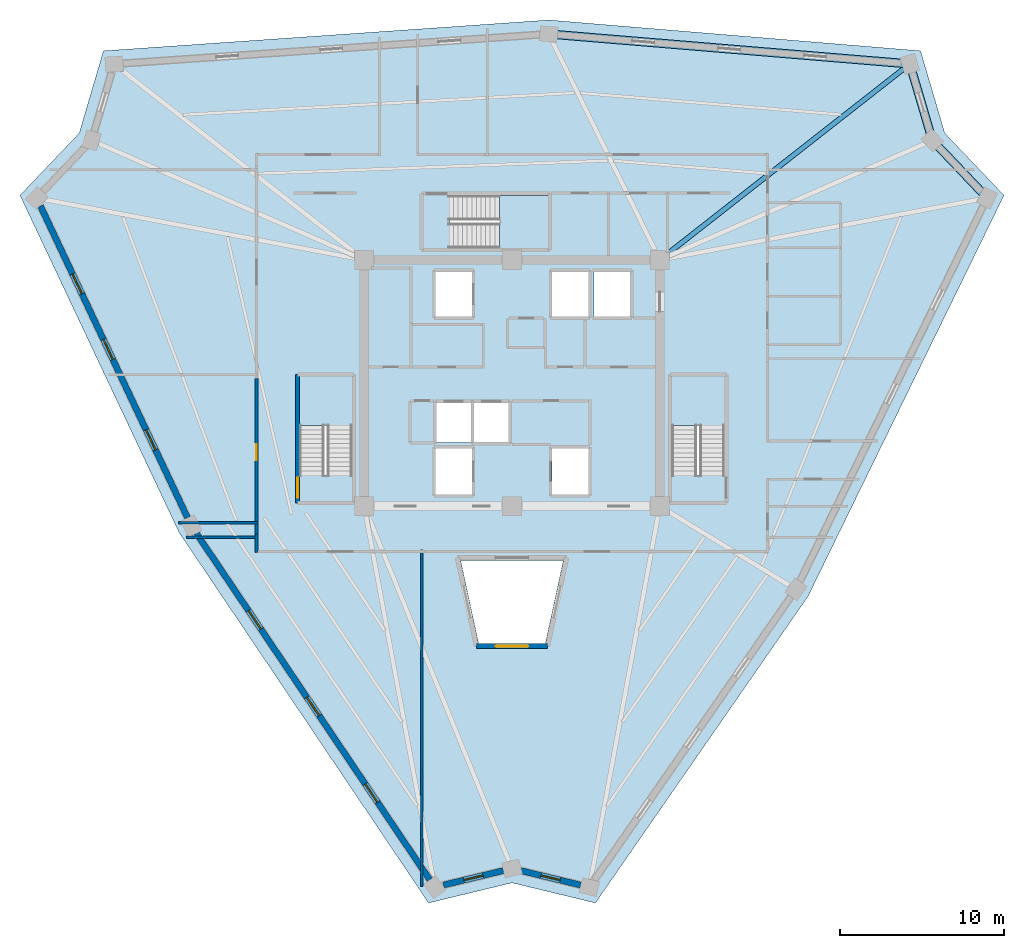
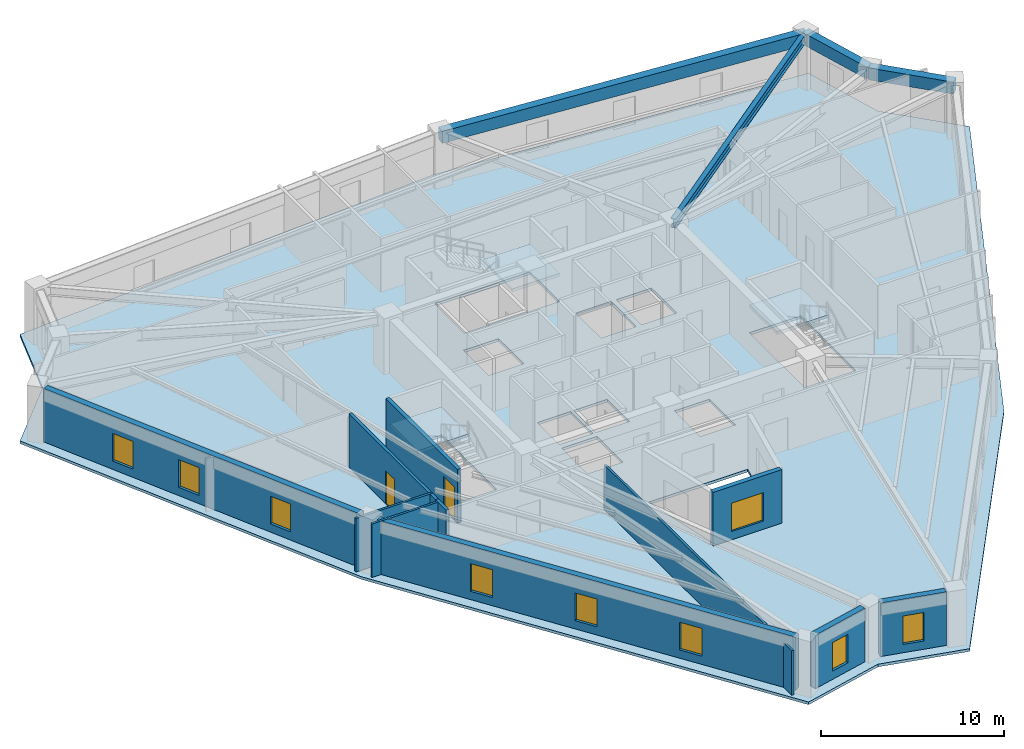
# One storey, part 2 of 8: 11 walls, 9 windows, 4 beams, 4 slabs, 2 doors, 11 openings, 3 elements without a shape of their own.
"""IFC4 building model written with IfcOpenShell, lengths in metres."""

from ifc_helpers import new_model, si_unit, direction, frame, frame_2d, origin, origin_2d, place, context, subcontext, project, spatial, polyline, rectangle, i_section, outline, extrude, source, transform, mapped, material, layer, layer_set, material_profile, profile_set, type_object, element, fill, aggregate, save


model = new_model("IFC4")

# Units and contexts
model_context = context("Model", 3, precision=1e-05, world=origin(), true_north=direction((0.0, 1.0)))
body_context = subcontext(model_context, "Body", "Model", "MODEL_VIEW")
ifc_project = project(units=[si_unit("LENGTHUNIT", "METRE"), si_unit("AREAUNIT", "SQUARE_METRE"), si_unit("VOLUMEUNIT", "CUBIC_METRE"), si_unit("PLANEANGLEUNIT", "RADIAN"), si_unit("MASSUNIT", "GRAM", prefix="KILO")], contexts=[model_context])

# Site, building, storey
site_placement = place(None, origin())
site = spatial("IfcSite", under=ifc_project, at=site_placement, CompositionType="ELEMENT")
building_placement = place(site_placement, origin())
building = spatial("IfcBuilding", under=site, at=building_placement, Name="Liaohun Quay Tower", CompositionType="ELEMENT")
storey_placement = place(building_placement, frame((0.0, 0.0, 343.5)))
storey = spatial("IfcBuildingStorey", under=building, at=storey_placement, Name="L89", CompositionType="ELEMENT", Elevation=343.5)

# Beams
ifc_material_1 = material(Name="Steel Q355D", Category="steel")
ifc_material_profile_1 = material_profile(ifc_material_1, i_section(OverallWidth=0.300048828125, OverallDepth=0.587890625, WebThickness=0.011962890625, FlangeThickness=0.02001953125, at=origin_2d()), Name="HM588x300x12x20")
ifc_profile_set_1 = profile_set([ifc_material_profile_1], Name="Steel Q355D")
beam_type_1 = type_object("IfcBeamType", Name="BM-RAD-U2", PredefinedType="BEAM", material=ifc_profile_set_1)
shared_shape_1 = source(origin(), body_context, "Body", "SweptSolid", [
    extrude(i_section(OverallWidth=0.300048828125, OverallDepth=0.587890625, WebThickness=0.011962890625, FlangeThickness=0.02001953125, at=origin_2d()), origin(), (0.0, 0.0, 1.0), 19.355224609375),
])
beam_1_placement = place(storey_placement, frame((69.0, 61.5, 3.27587890625), z_axis=(0.787132213405, 0.616784304778, 0.0), x_axis=(-0.616784304778, 0.787132213405, 0.0)))
element("IfcBeam", 1, at=beam_1_placement, inside=storey, type_object=beam_type_1, Name="L89 Radial Primary Girder CC4-PC07", PredefinedType="BEAM", context=body_context, shape_type="MappedRepresentation", body=[
    mapped(shared_shape_1, transform((0.0, 0.0, 0.0), x_axis=(1.0, 0.0, 0.0), y_axis=(0.0, 1.0, 0.0), z_axis=(0.0, 0.0, 1.0), scale=1.0)),
])
ifc_material_2 = material(Name="Precast concrete C50", Category="concrete")
ifc_material_profile_2 = material_profile(ifc_material_2, rectangle(XDim=0.5, YDim=0.800048828125, at=origin_2d()), Name="RC500x800")
ifc_profile_set_2 = profile_set([ifc_material_profile_2], Name="Precast concrete C50")
beam_type_2 = type_object("IfcBeamType", Name="BM-SPD-Z4", PredefinedType="SPANDREL", material=ifc_profile_set_2)
shared_shape_2 = source(origin(), body_context, "Body", "SweptSolid", [
    extrude(rectangle(XDim=0.5, YDim=0.800048828125, at=origin_2d()), origin(), (0.0, 0.0, 1.0), 22.07666015625),
])
beam_2_placement = place(storey_placement, frame((62.23388671875, 75.262939453125, 3.169921875), z_axis=(0.996577488484, -0.082663833976, 0.0), x_axis=(0.082663833976, 0.996577488484, 0.0)))
element("IfcBeam", 2, at=beam_2_placement, inside=storey, type_object=beam_type_2, Name="L89 Precast Spandrel Beam PC06-PC07", PredefinedType="SPANDREL", context=body_context, shape_type="MappedRepresentation", body=[
    mapped(shared_shape_2, transform((0.0, 0.0, 0.0), x_axis=(1.0, 0.0, 0.0), y_axis=(0.0, 1.0, 0.0), z_axis=(0.0, 0.0, 1.0), scale=1.0)),
])
shared_shape_3 = source(origin(), body_context, "Body", "SweptSolid", [
    extrude(rectangle(XDim=0.5, YDim=0.800048828125, at=origin_2d()), origin(), (0.0, 0.0, 1.0), 4.85205078125),
])
beam_3_placement = place(storey_placement, frame((84.235107421875, 73.43798828125, 3.169921875), z_axis=(0.282732905255, -0.959198678213, 0.0), x_axis=(0.959198678213, 0.282732905255, 0.0)))
element("IfcBeam", 3, at=beam_3_placement, inside=storey, type_object=beam_type_2, Name="L89 Precast Spandrel Beam PC07-PC08", PredefinedType="SPANDREL", context=body_context, shape_type="MappedRepresentation", body=[
    mapped(shared_shape_3, transform((0.0, 0.0, 0.0), x_axis=(1.0, 0.0, 0.0), y_axis=(0.0, 1.0, 0.0), z_axis=(0.0, 0.0, 1.0), scale=1.0)),
])
shared_shape_4 = source(origin(), body_context, "Body", "SweptSolid", [
    extrude(rectangle(XDim=0.5, YDim=0.800048828125, at=origin_2d()), origin(), (0.0, 0.0, 1.0), 4.84326171875),
])
beam_4_placement = place(storey_placement, frame((85.60693359375, 68.783935546875, 3.169921875), z_axis=(0.689449970501, -0.724333305997, 0.0), x_axis=(0.724333305997, 0.689449970501, 0.0)))
element("IfcBeam", 4, at=beam_4_placement, inside=storey, type_object=beam_type_2, Name="L89 Precast Spandrel Beam PC08-PC09", PredefinedType="SPANDREL", context=body_context, shape_type="MappedRepresentation", body=[
    mapped(shared_shape_4, transform((0.0, 0.0, 0.0), x_axis=(1.0, 0.0, 0.0), y_axis=(0.0, 1.0, 0.0), z_axis=(0.0, 0.0, 1.0), scale=1.0)),
])

# Stair, slab
ifc_material_3 = material(Name="Concrete C45", Category="concrete")
stair_type = type_object("IfcStairType", Name="STR-CORE-OFF", PredefinedType="HALF_TURN_STAIR", material=ifc_material_3)
stair_1_placement = place(storey_placement, origin())
stair_1 = element("IfcStair", 5, at=stair_1_placement, inside=storey, type_object=stair_type, Name="L89 Smokeproof Core Exit Stair ST-1", PredefinedType="HALF_TURN_STAIR")
ifc_layer_1 = layer(ifc_material_3, 0.199951171875, Name="Concrete C45", Category="concrete")
ifc_layer_set_1 = layer_set([ifc_layer_1], Name="Concrete C45")
slab_type_1 = type_object("IfcSlabType", Name="SLB-LND-200", PredefinedType="LANDING", material=ifc_layer_set_1)
slab_1_placement = place(storey_placement, frame((0.0, 0.0, 1.675048828125)))
slab_1 = element("IfcSlab", 6, at=slab_1_placement, type_object=slab_type_1, Name="ST-1 landing 1", PredefinedType="LANDING", context=body_context, shape_type="SweptSolid", body=[
    extrude(outline(polyline([(50.280029296875, 51.429931640625), (50.280029296875, 54.419921875), (47.0400390625, 54.419921875), (47.0400390625, 51.429931640625), (50.280029296875, 51.429931640625)])), origin(), (0.0, 0.0, 1.0), 0.199951171875),
])
aggregate(stair_1, [slab_1])

stair_2_placement = place(storey_placement, origin())
stair_2 = element("IfcStair", 7, at=stair_2_placement, inside=storey, type_object=stair_type, Name="L89 Smokeproof Core Exit Stair ST-2", PredefinedType="HALF_TURN_STAIR")
slab_2_placement = place(storey_placement, frame((0.0, 0.0, 1.675048828125)))
slab_2 = element("IfcSlab", 8, at=slab_2_placement, type_object=slab_type_1, Name="ST-2 landing 1", PredefinedType="LANDING", context=body_context, shape_type="SweptSolid", body=[
    extrude(outline(polyline([(72.9599609375, 51.429931640625), (72.9599609375, 54.419921875), (69.719970703125, 54.419921875), (69.719970703125, 51.429931640625), (72.9599609375, 51.429931640625)])), origin(), (0.0, 0.0, 1.0), 0.199951171875),
])
aggregate(stair_2, [slab_2])

stair_3_placement = place(storey_placement, origin())
stair_3 = element("IfcStair", 9, at=stair_3_placement, inside=storey, type_object=stair_type, Name="L89 Smokeproof Core Exit Stair ST-3", PredefinedType="HALF_TURN_STAIR")
slab_3_placement = place(storey_placement, frame((0.0, 0.0, 1.675048828125)))
slab_3 = element("IfcSlab", 10, at=slab_3_placement, type_object=slab_type_1, Name="ST-3 landing 1", PredefinedType="LANDING", context=body_context, shape_type="SweptSolid", body=[
    extrude(outline(polyline([(59.22998046875, 62.199951171875), (62.219970703125, 62.199951171875), (62.219970703125, 65.43994140625), (59.22998046875, 65.43994140625), (59.22998046875, 62.199951171875)])), origin(), (0.0, 0.0, 1.0), 0.199951171875),
])
aggregate(stair_3, [slab_3])

# Slab
ifc_layer_2 = layer(ifc_material_3, 0.179931640625, Name="Concrete C45", Category="concrete")
ifc_layer_set_2 = layer_set([ifc_layer_2], Name="Concrete C45")
slab_type_2 = type_object("IfcSlabType", Name="SLB-OFF-180", PredefinedType="FLOOR", material=ifc_layer_set_2)
slab_4_placement = place(storey_placement, frame((0.0, 0.0, -0.179931640625)))
element("IfcSlab", 11, at=slab_4_placement, inside=storey, type_object=slab_type_2, Name="L89 Structural Floor Slab", PredefinedType="FLOOR", context=body_context, shape_type="SweptSolid", body=[
    extrude(outline(polyline([(54.91796875, 22.3291015625), (60.0, 23.556884765625), (65.08203125, 22.3291015625), (78.031982421875, 41.0029296875), (89.968994140625, 65.43408203125), (86.364013671875, 69.220947265625), (84.885986328125, 74.237060546875), (62.239990234375, 76.114990234375), (35.114013671875, 74.237060546875), (33.635986328125, 69.220947265625), (30.031005859375, 65.43408203125), (39.72802734375, 44.882080078125), (54.91796875, 22.3291015625)]), holes=[polyline([(57.56005859375, 50.030029296875), (55.340087890625, 50.030029296875), (55.340087890625, 47.2099609375), (57.56005859375, 47.2099609375), (57.56005859375, 50.030029296875)]), polyline([(47.0400390625, 54.419921875), (47.0400390625, 48.409912109375), (50.280029296875, 48.409912109375), (50.280029296875, 54.419921875), (47.0400390625, 54.419921875)]), polyline([(57.510009765625, 52.81005859375), (55.389892578125, 52.81005859375), (55.389892578125, 50.389892578125), (57.510009765625, 50.389892578125), (57.510009765625, 52.81005859375)]), polyline([(59.81005859375, 50.389892578125), (59.81005859375, 52.81005859375), (57.68994140625, 52.81005859375), (57.68994140625, 50.389892578125), (59.81005859375, 50.389892578125)]), polyline([(57.56005859375, 58.0400390625), (57.56005859375, 60.7900390625), (55.340087890625, 60.7900390625), (55.340087890625, 58.0400390625), (57.56005859375, 58.0400390625)]), polyline([(62.219970703125, 65.43994140625), (56.2099609375, 65.43994140625), (56.2099609375, 62.199951171875), (62.219970703125, 62.199951171875), (62.219970703125, 65.43994140625)]), polyline([(62.031005859375, 38.14111328125), (63.125, 43.199951171875), (56.875, 43.199951171875), (57.968994140625, 38.14111328125), (62.031005859375, 38.14111328125)]), polyline([(64.659912109375, 47.2099609375), (64.659912109375, 50.030029296875), (62.43994140625, 50.030029296875), (62.43994140625, 47.2099609375), (64.659912109375, 47.2099609375)]), polyline([(69.719970703125, 54.419921875), (69.719970703125, 48.409912109375), (72.9599609375, 48.409912109375), (72.9599609375, 54.419921875), (69.719970703125, 54.419921875)]), polyline([(64.659912109375, 58.0400390625), (64.659912109375, 60.7900390625), (62.43994140625, 60.7900390625), (62.43994140625, 58.0400390625), (64.659912109375, 58.0400390625)]), polyline([(67.2099609375, 58.0400390625), (67.2099609375, 60.7900390625), (64.989990234375, 60.7900390625), (64.989990234375, 58.0400390625), (67.2099609375, 58.0400390625)])]), origin(), (0.0, 0.0, 1.0), 0.179931640625),
])

# Wall, opening, window
ifc_material_4 = material(Name="Concrete C50", Category="concrete")
ifc_layer_3 = layer(ifc_material_4, 0.300048828125, Name="Concrete C50", Category="concrete")
ifc_layer_set_3 = layer_set([ifc_layer_3], Name="Concrete C50")
wall_type_1 = type_object("IfcWallType", Name="WAL-ATR-300", PredefinedType="SOLIDWALL", material=ifc_layer_set_3)
wall_1_placement = place(storey_placement, frame((62.16796875, 37.970947265625, 0.0), z_axis=(0.0, 0.0, 1.0), x_axis=(-1.0, 0.0, 0.0)))
wall_1 = element("IfcWall", 12, at=wall_1_placement, inside=storey, type_object=wall_type_1, Name="L89 Atrium Fire Compartment Wall 4", PredefinedType="SOLIDWALL", context=body_context, shape_type="SweptSolid", body=[
    extrude(rectangle(XDim=4.3359375, YDim=0.300048828125, at=frame_2d((2.16796875, 0.0))), origin(), (0.0, 0.0, 1.0), 3.570068359375),
])
shared_shape_5 = source(origin(), body_context, "Body", "SweptSolid", [
    extrude(rectangle(XDim=2.0, YDim=1.89990234375, at=frame_2d((1.0, 0.949951171875))), frame((0.0, 0.159912109375, 0.0), z_axis=(0.0, -1.0, 0.0), x_axis=(1.0, 0.0, 0.0)), (0.0, 0.0, 1.0), 0.320068359375),
])
opening_1_placement = place(wall_1_placement, frame((1.16796875, 0.0, 0.550048828125)))
opening_1 = element("IfcOpeningElement", 13, at=opening_1_placement, cuts=wall_1, Name="Opening W07", PredefinedType="OPENING", context=body_context, shape_type="MappedRepresentation", body=[
    mapped(shared_shape_5, transform((0.0, 0.0, 0.0), x_axis=(1.0, 0.0, 0.0), y_axis=(0.0, 1.0, 0.0), z_axis=(0.0, 0.0, 1.0), scale=1.0)),
])
ifc_material_5 = material(Name="Class A 180-min fire-resistant insulated glazing", Category="glass")
window_type_1 = type_object("IfcWindowType", Name="WIN-ATR-FIR", PartitioningType="DOUBLE_PANEL_VERTICAL", PredefinedType="WINDOW", material=ifc_material_5)
shared_shape_6 = source(origin(), body_context, "Body", "SweptSolid", [
    extrude(rectangle(XDim=2.0, YDim=1.89990234375, at=frame_2d((1.0, 0.949951171875))), frame((0.0, 0.030029296875, 0.0), z_axis=(0.0, -1.0, 0.0), x_axis=(1.0, 0.0, 0.0)), (0.0, 0.0, 1.0), 0.06005859375),
])
window_1_placement = place(opening_1_placement, origin())
window_1 = element("IfcWindow", 14, at=window_1_placement, inside=storey, type_object=window_type_1, Name="L89 Atrium Fire-Resistant Glazing W07-4", OverallHeight=1.89990234375, OverallWidth=2.0, PartitioningType="DOUBLE_PANEL_VERTICAL", PredefinedType="WINDOW", context=body_context, shape_type="MappedRepresentation", body=[
    mapped(shared_shape_6, transform((0.0, 0.0, 0.0), x_axis=(1.0, 0.0, 0.0), y_axis=(0.0, 1.0, 0.0), z_axis=(0.0, 0.0, 1.0), scale=1.0)),
])
fill(opening_1, window_1)

ifc_material_6 = material(Name="Precast concrete C50 insulated sandwich", Category="concrete")
ifc_layer_4 = layer(ifc_material_6, 0.3798828125, Name="Precast concrete C50 insulated sandwich", Category="concrete")
ifc_layer_set_4 = layer_set([ifc_layer_4], Name="Precast concrete C50 insulated sandwich")
wall_type_2 = type_object("IfcWallType", Name="WAL-EXT-Z34", PredefinedType="SOLIDWALL", material=ifc_layer_set_4)
wall_2_placement = place(storey_placement, frame((60.52490234375, 24.303955078125, 0.0), z_axis=(0.0, 0.0, 1.0), x_axis=(0.972061323931, -0.234727038319, 0.0)))
wall_2 = element("IfcWall", 15, at=wall_2_placement, inside=storey, type_object=wall_type_2, Name="L89 Brutalist Precast Pier Wall 01", PredefinedType="SOLIDWALL", context=body_context, shape_type="SweptSolid", body=[
    extrude(rectangle(XDim=3.770263671875, YDim=0.3798828125, at=frame_2d((1.88525390625, 0.0))), origin(), (0.0, 0.0, 1.0), 3.570068359375),
])
shared_shape_7 = source(origin(), body_context, "Body", "SweptSolid", [
    extrude(rectangle(XDim=1.199951171875, YDim=1.89990234375, at=frame_2d((0.60009765625, 0.949951171875))), frame((0.0, 0.199951171875, 0.0), z_axis=(0.0, -1.0, 0.0), x_axis=(1.0, 0.0, 0.0)), (0.0, 0.0, 1.0), 0.39990234375),
])
opening_2_placement = place(wall_2_placement, frame((1.284912109375, 0.0, 0.550048828125)))
opening_2 = element("IfcOpeningElement", 16, at=opening_2_placement, cuts=wall_2, Name="Opening W05", PredefinedType="OPENING", context=body_context, shape_type="MappedRepresentation", body=[
    mapped(shared_shape_7, transform((0.0, 0.0, 0.0), x_axis=(1.0, 0.0, 0.0), y_axis=(0.0, 1.0, 0.0), z_axis=(0.0, 0.0, 1.0), scale=1.0)),
])
ifc_material_7 = material(Name="Triple Low-E corner notch glazing", Category="glass")
window_type_2 = type_object("IfcWindowType", Name="WIN-NOTCH", PartitioningType="SINGLE_PANEL", PredefinedType="WINDOW", material=ifc_material_7)
shared_shape_8 = source(origin(), body_context, "Body", "SweptSolid", [
    extrude(rectangle(XDim=1.199951171875, YDim=1.89990234375, at=frame_2d((0.60009765625, 0.949951171875))), frame((0.0, 0.030029296875, 0.0), z_axis=(0.0, -1.0, 0.0), x_axis=(1.0, 0.0, 0.0)), (0.0, 0.0, 1.0), 0.06005859375),
])
window_2_placement = place(opening_2_placement, origin())
window_2 = element("IfcWindow", 17, at=window_2_placement, inside=storey, type_object=window_type_2, Name="L89 Corner Notch Window W05-01", OverallHeight=1.89990234375, OverallWidth=1.199951171875, PartitioningType="SINGLE_PANEL", PredefinedType="WINDOW", context=body_context, shape_type="MappedRepresentation", body=[
    mapped(shared_shape_8, transform((0.0, 0.0, 0.0), x_axis=(1.0, 0.0, 0.0), y_axis=(0.0, 1.0, 0.0), z_axis=(0.0, 0.0, 1.0), scale=1.0)),
])
fill(opening_2, window_2)

# Wall, openings, windows
wall_3_placement = place(storey_placement, frame((31.278076171875, 64.781982421875, 0.0), z_axis=(0.0, 0.0, 1.0), x_axis=(0.426732975356, -0.904377668756, 0.0)))
wall_3 = element("IfcWall", 18, at=wall_3_placement, inside=storey, type_object=wall_type_2, Name="L89 Brutalist Precast Pier Wall 10", PredefinedType="SOLIDWALL", context=body_context, shape_type="SweptSolid", body=[
    extrude(rectangle(XDim=20.9990234375, YDim=0.3798828125, at=frame_2d((10.49951171875, 0.0))), origin(), (0.0, 0.0, 1.0), 3.570068359375),
])
shared_shape_9 = source(origin(), body_context, "Body", "SweptSolid", [
    extrude(rectangle(XDim=1.35009765625, YDim=1.85009765625, at=frame_2d((0.675048828125, 0.925048828125))), frame((0.0, 0.199951171875, 0.0), z_axis=(0.0, -1.0, 0.0), x_axis=(1.0, 0.0, 0.0)), (0.0, 0.0, 1.0), 0.39990234375),
])
opening_3_placement = place(wall_3_placement, frame((4.574951171875, 0.0, 0.550048828125)))
opening_3 = element("IfcOpeningElement", 19, at=opening_3_placement, cuts=wall_3, Name="Opening W04", PredefinedType="OPENING", context=body_context, shape_type="MappedRepresentation", body=[
    mapped(shared_shape_9, transform((0.0, 0.0, 0.0), x_axis=(1.0, 0.0, 0.0), y_axis=(0.0, 1.0, 0.0), z_axis=(0.0, 0.0, 1.0), scale=1.0)),
])
opening_4_placement = place(wall_3_placement, frame((8.97412109375, 0.0, 0.550048828125)))
opening_4 = element("IfcOpeningElement", 20, at=opening_4_placement, cuts=wall_3, Name="Opening W04", PredefinedType="OPENING", context=body_context, shape_type="MappedRepresentation", body=[
    mapped(shared_shape_9, transform((0.0, 0.0, 0.0), x_axis=(1.0, 0.0, 0.0), y_axis=(0.0, 1.0, 0.0), z_axis=(0.0, 0.0, 1.0), scale=1.0)),
])
opening_5_placement = place(wall_3_placement, frame((15.073974609375, 0.0, 0.550048828125)))
opening_5 = element("IfcOpeningElement", 21, at=opening_5_placement, cuts=wall_3, Name="Opening W04", PredefinedType="OPENING", context=body_context, shape_type="MappedRepresentation", body=[
    mapped(shared_shape_9, transform((0.0, 0.0, 0.0), x_axis=(1.0, 0.0, 0.0), y_axis=(0.0, 1.0, 0.0), z_axis=(0.0, 0.0, 1.0), scale=1.0)),
])
ifc_material_8 = material(Name="Triple Low-E argon glazing in thermally broken aluminium", Category="aluminium")
window_type_3 = type_object("IfcWindowType", Name="WIN-PUN-Z4", PartitioningType="SINGLE_PANEL", PredefinedType="WINDOW", material=ifc_material_8)
shared_shape_10 = source(origin(), body_context, "Body", "SweptSolid", [
    extrude(rectangle(XDim=1.35009765625, YDim=1.85009765625, at=frame_2d((0.675048828125, 0.925048828125))), frame((0.0, 0.030029296875, 0.0), z_axis=(0.0, -1.0, 0.0), x_axis=(1.0, 0.0, 0.0)), (0.0, 0.0, 1.0), 0.06005859375),
])
window_3_placement = place(opening_3_placement, origin())
window_3 = element("IfcWindow", 22, at=window_3_placement, inside=storey, type_object=window_type_3, Name="L89 Recessed Cold-Climate Punched Window 10-1", OverallHeight=1.85009765625, OverallWidth=1.35009765625, PartitioningType="SINGLE_PANEL", PredefinedType="WINDOW", context=body_context, shape_type="MappedRepresentation", body=[
    mapped(shared_shape_10, transform((0.0, 0.0, 0.0), x_axis=(1.0, 0.0, 0.0), y_axis=(0.0, 1.0, 0.0), z_axis=(0.0, 0.0, 1.0), scale=1.0)),
])
fill(opening_3, window_3)
window_4_placement = place(opening_4_placement, origin())
window_4 = element("IfcWindow", 23, at=window_4_placement, inside=storey, type_object=window_type_3, Name="L89 Recessed Cold-Climate Punched Window 10-2", OverallHeight=1.85009765625, OverallWidth=1.35009765625, PartitioningType="SINGLE_PANEL", PredefinedType="WINDOW", context=body_context, shape_type="MappedRepresentation", body=[
    mapped(shared_shape_10, transform((0.0, 0.0, 0.0), x_axis=(1.0, 0.0, 0.0), y_axis=(0.0, 1.0, 0.0), z_axis=(0.0, 0.0, 1.0), scale=1.0)),
])
fill(opening_4, window_4)
window_5_placement = place(opening_5_placement, origin())
window_5 = element("IfcWindow", 24, at=window_5_placement, inside=storey, type_object=window_type_3, Name="L89 Recessed Cold-Climate Punched Window 10-3", OverallHeight=1.85009765625, OverallWidth=1.35009765625, PartitioningType="SINGLE_PANEL", PredefinedType="WINDOW", context=body_context, shape_type="MappedRepresentation", body=[
    mapped(shared_shape_10, transform((0.0, 0.0, 0.0), x_axis=(1.0, 0.0, 0.0), y_axis=(0.0, 1.0, 0.0), z_axis=(0.0, 0.0, 1.0), scale=1.0)),
])
fill(opening_5, window_5)

wall_4_placement = place(storey_placement, frame((40.77099609375, 44.85498046875, 0.0), z_axis=(0.0, 0.0, 1.0), x_axis=(0.558627041585, -0.82941897037, 0.0)))
wall_4 = element("IfcWall", 25, at=wall_4_placement, inside=storey, type_object=wall_type_2, Name="L89 Brutalist Precast Pier Wall 11", PredefinedType="SOLIDWALL", context=body_context, shape_type="SweptSolid", body=[
    extrude(rectangle(XDim=25.455322265625, YDim=0.3798828125, at=frame_2d((12.7275390625, 0.0))), origin(), (0.0, 0.0, 1.0), 3.570068359375),
])
opening_6_placement = place(wall_4_placement, frame((5.68896484375, 0.0, 0.550048828125)))
opening_6 = element("IfcOpeningElement", 26, at=opening_6_placement, cuts=wall_4, Name="Opening W04", PredefinedType="OPENING", context=body_context, shape_type="MappedRepresentation", body=[
    mapped(shared_shape_9, transform((0.0, 0.0, 0.0), x_axis=(1.0, 0.0, 0.0), y_axis=(0.0, 1.0, 0.0), z_axis=(0.0, 0.0, 1.0), scale=1.0)),
])
opening_7_placement = place(wall_4_placement, frame((12.052978515625, 0.0, 0.550048828125)))
opening_7 = element("IfcOpeningElement", 27, at=opening_7_placement, cuts=wall_4, Name="Opening W04", PredefinedType="OPENING", context=body_context, shape_type="MappedRepresentation", body=[
    mapped(shared_shape_9, transform((0.0, 0.0, 0.0), x_axis=(1.0, 0.0, 0.0), y_axis=(0.0, 1.0, 0.0), z_axis=(0.0, 0.0, 1.0), scale=1.0)),
])
opening_8_placement = place(wall_4_placement, frame((18.416015625, 0.0, 0.550048828125)))
opening_8 = element("IfcOpeningElement", 28, at=opening_8_placement, cuts=wall_4, Name="Opening W04", PredefinedType="OPENING", context=body_context, shape_type="MappedRepresentation", body=[
    mapped(shared_shape_9, transform((0.0, 0.0, 0.0), x_axis=(1.0, 0.0, 0.0), y_axis=(0.0, 1.0, 0.0), z_axis=(0.0, 0.0, 1.0), scale=1.0)),
])
window_6_placement = place(opening_6_placement, origin())
window_6 = element("IfcWindow", 29, at=window_6_placement, inside=storey, type_object=window_type_3, Name="L89 Recessed Cold-Climate Punched Window 11-1", OverallHeight=1.85009765625, OverallWidth=1.35009765625, PartitioningType="SINGLE_PANEL", PredefinedType="WINDOW", context=body_context, shape_type="MappedRepresentation", body=[
    mapped(shared_shape_10, transform((0.0, 0.0, 0.0), x_axis=(1.0, 0.0, 0.0), y_axis=(0.0, 1.0, 0.0), z_axis=(0.0, 0.0, 1.0), scale=1.0)),
])
fill(opening_6, window_6)
window_7_placement = place(opening_7_placement, origin())
window_7 = element("IfcWindow", 30, at=window_7_placement, inside=storey, type_object=window_type_3, Name="L89 Recessed Cold-Climate Punched Window 11-2", OverallHeight=1.85009765625, OverallWidth=1.35009765625, PartitioningType="SINGLE_PANEL", PredefinedType="WINDOW", context=body_context, shape_type="MappedRepresentation", body=[
    mapped(shared_shape_10, transform((0.0, 0.0, 0.0), x_axis=(1.0, 0.0, 0.0), y_axis=(0.0, 1.0, 0.0), z_axis=(0.0, 0.0, 1.0), scale=1.0)),
])
fill(opening_7, window_7)
window_8_placement = place(opening_8_placement, origin())
window_8 = element("IfcWindow", 31, at=window_8_placement, inside=storey, type_object=window_type_3, Name="L89 Recessed Cold-Climate Punched Window 11-3", OverallHeight=1.85009765625, OverallWidth=1.35009765625, PartitioningType="SINGLE_PANEL", PredefinedType="WINDOW", context=body_context, shape_type="MappedRepresentation", body=[
    mapped(shared_shape_10, transform((0.0, 0.0, 0.0), x_axis=(1.0, 0.0, 0.0), y_axis=(0.0, 1.0, 0.0), z_axis=(0.0, 0.0, 1.0), scale=1.0)),
])
fill(opening_8, window_8)

# Wall, opening, window
wall_5_placement = place(storey_placement, frame((55.818115234375, 23.4208984375, 0.0), z_axis=(0.0, 0.0, 1.0), x_axis=(0.972061788498, 0.234725114427, 0.0)))
wall_5 = element("IfcWall", 32, at=wall_5_placement, inside=storey, type_object=wall_type_2, Name="L89 Brutalist Precast Pier Wall 12", PredefinedType="SOLIDWALL", context=body_context, shape_type="SweptSolid", body=[
    extrude(rectangle(XDim=3.76220703125, YDim=0.3798828125, at=frame_2d((1.881103515625, 0.0))), origin(), (0.0, 0.0, 1.0), 3.570068359375),
])
opening_9_placement = place(wall_5_placement, frame((1.281005859375, 0.0, 0.550048828125)))
opening_9 = element("IfcOpeningElement", 33, at=opening_9_placement, cuts=wall_5, Name="Opening W05", PredefinedType="OPENING", context=body_context, shape_type="MappedRepresentation", body=[
    mapped(shared_shape_7, transform((0.0, 0.0, 0.0), x_axis=(1.0, 0.0, 0.0), y_axis=(0.0, 1.0, 0.0), z_axis=(0.0, 0.0, 1.0), scale=1.0)),
])
window_9_placement = place(opening_9_placement, origin())
window_9 = element("IfcWindow", 34, at=window_9_placement, inside=storey, type_object=window_type_2, Name="L89 Corner Notch Window W05-12", OverallHeight=1.89990234375, OverallWidth=1.199951171875, PartitioningType="SINGLE_PANEL", PredefinedType="WINDOW", context=body_context, shape_type="MappedRepresentation", body=[
    mapped(shared_shape_8, transform((0.0, 0.0, 0.0), x_axis=(1.0, 0.0, 0.0), y_axis=(0.0, 1.0, 0.0), z_axis=(0.0, 0.0, 1.0), scale=1.0)),
])
fill(opening_9, window_9)

# Wall, opening, door
ifc_material_9 = material(Name="Autoclaved aerated concrete blockwork", Category="masonry")
ifc_layer_5 = layer(ifc_material_9, 0.179931640625, Name="Autoclaved aerated concrete blockwork", Category="masonry")
ifc_layer_set_5 = layer_set([ifc_layer_5], Name="Autoclaved aerated concrete blockwork")
wall_type_3 = type_object("IfcWallType", Name="WAL-PRT-COR", PredefinedType="PARTITIONING", material=ifc_layer_set_5)
wall_6_placement = place(storey_placement, frame((44.43994140625, 44.81494140625, 0.0), z_axis=(0.0, 0.0, 1.0), x_axis=(0.0, 1.0, 0.0)))
wall_6 = element("IfcWall", 35, at=wall_6_placement, inside=storey, type_object=wall_type_3, Name="L89 Interior Partition Wall 020", PredefinedType="PARTITIONING", context=body_context, shape_type="SweptSolid", body=[
    extrude(rectangle(XDim=9.469970703125, YDim=0.179931640625, at=frame_2d((4.73486328125, 0.0))), origin(), (0.0, 0.0, 1.0), 3.570068359375),
])
shared_shape_11 = source(origin(), body_context, "Body", "SweptSolid", [
    extrude(rectangle(XDim=1.0, YDim=2.199951171875, at=frame_2d((0.5, 1.10009765625))), frame((0.0, 0.099853515625, 0.0), z_axis=(0.0, -1.0, 0.0), x_axis=(1.0, 0.0, 0.0)), (0.0, 0.0, 1.0), 0.199951171875),
])
opening_10_placement = place(wall_6_placement, frame((4.469970703125, 0.0, 0.0)))
opening_10 = element("IfcOpeningElement", 36, at=opening_10_placement, cuts=wall_6, Name="Opening OD1", PredefinedType="OPENING", context=body_context, shape_type="MappedRepresentation", body=[
    mapped(shared_shape_11, transform((0.0, 0.0, 0.0), x_axis=(1.0, 0.0, 0.0), y_axis=(0.0, 1.0, 0.0), z_axis=(0.0, 0.0, 1.0), scale=1.0)),
])
ifc_material_10 = material(Name="Solid-core oak veneer timber leaf in steel frame", Category="steel")
door_type_1 = type_object("IfcDoorType", Name="DOR-OFF-1000", OperationType="NOTDEFINED", PredefinedType="DOOR", material=ifc_material_10)
shared_shape_12 = source(origin(), body_context, "Body", "SweptSolid", [
    extrude(rectangle(XDim=1.0, YDim=2.199951171875, at=frame_2d((0.5, 1.10009765625))), frame((0.0, 0.02490234375, 0.0), z_axis=(0.0, -1.0, 0.0), x_axis=(1.0, 0.0, 0.0)), (0.0, 0.0, 1.0), 0.050048828125),
])
door_1_placement = place(opening_10_placement, origin())
door_1 = element("IfcDoor", 37, at=door_1_placement, inside=storey, type_object=door_type_1, Name="L89 Staff Tea Kitchen and Pantry 06 Door", OperationType="SINGLE_SWING_RIGHT", OverallHeight=2.199951171875, OverallWidth=1.0, PredefinedType="DOOR", context=body_context, shape_type="MappedRepresentation", body=[
    mapped(shared_shape_12, transform((0.0, 0.0, 0.0), x_axis=(1.0, 0.0, 0.0), y_axis=(0.0, 1.0, 0.0), z_axis=(0.0, 0.0, 1.0), scale=1.0)),
])
fill(opening_10, door_1)

# Walls
wall_7_placement = place(storey_placement, frame((44.43994140625, 43.669921875, 0.0), z_axis=(0.0, 0.0, 1.0), x_axis=(0.0, 1.0, 0.0)))
element("IfcWall", 38, at=wall_7_placement, inside=storey, type_object=wall_type_3, Name="L89 Interior Partition Wall 044", PredefinedType="PARTITIONING", context=body_context, shape_type="SweptSolid", body=[
    extrude(rectangle(XDim=1.14501953125, YDim=0.179931640625, at=frame_2d((0.572509765625, 0.0))), origin(), (0.0, 0.0, 1.0), 3.570068359375),
])
ifc_material_11 = material(Name="Gypsum board on twin steel studs", Category="steel")
ifc_layer_6 = layer(ifc_material_11, 0.139892578125, Name="Gypsum board on twin steel studs", Category="steel")
ifc_layer_set_6 = layer_set([ifc_layer_6], Name="Gypsum board on twin steel studs")
wall_type_4 = type_object("IfcWallType", Name="WAL-PRT-OFF", PredefinedType="PARTITIONING", material=ifc_layer_set_6)
wall_8_placement = place(storey_placement, frame((44.5400390625, 44.60009765625, 0.0), z_axis=(0.0, 0.0, 1.0), x_axis=(-1.0, 0.0, 0.0)))
element("IfcWall", 39, at=wall_8_placement, inside=storey, type_object=wall_type_4, Name="L89 Interior Partition Wall 048", PredefinedType="PARTITIONING", context=body_context, shape_type="SweptSolid", body=[
    extrude(rectangle(XDim=4.35693359375, YDim=0.139892578125, at=frame_2d((2.178466796875, 0.0))), origin(), (0.0, 0.0, 1.0), 3.570068359375),
])
wall_9_placement = place(storey_placement, frame((44.5400390625, 45.5, 0.0), z_axis=(0.0, 0.0, 1.0), x_axis=(-1.0, 0.0, 0.0)))
element("IfcWall", 40, at=wall_9_placement, inside=storey, type_object=wall_type_4, Name="L89 Interior Partition Wall 049", PredefinedType="PARTITIONING", context=body_context, shape_type="SweptSolid", body=[
    extrude(rectangle(XDim=4.860107421875, YDim=0.139892578125, at=frame_2d((2.43017578125, 0.0))), origin(), (0.0, 0.0, 1.0), 3.570068359375),
])
wall_10_placement = place(storey_placement, frame((54.5, 43.840087890625, 0.0), z_axis=(0.0, 0.0, 1.0), x_axis=(0.0, -1.0, 0.0)))
element("IfcWall", 41, at=wall_10_placement, inside=storey, type_object=wall_type_4, Name="L89 Interior Partition Wall 057", PredefinedType="PARTITIONING", context=body_context, shape_type="SweptSolid", body=[
    extrude(rectangle(XDim=20.4970703125, YDim=0.139892578125, at=frame_2d((10.24853515625, 0.0))), origin(), (0.0, 0.0, 1.0), 2.967041015625),
])

# Wall, opening, door
ifc_layer_7 = layer(ifc_material_4, 0.239990234375, Name="Concrete C50", Category="concrete")
ifc_layer_set_7 = layer_set([ifc_layer_7], Name="Concrete C50")
wall_type_5 = type_object("IfcWallType", Name="WAL-SHF-200", PredefinedType="SOLIDWALL", material=ifc_layer_set_7)
wall_11_placement = place(storey_placement, frame((46.93994140625, 54.52001953125, 0.0), z_axis=(0.0, 0.0, 1.0), x_axis=(0.0, -1.0, 0.0)))
wall_11 = element("IfcWall", 42, at=wall_11_placement, inside=storey, type_object=wall_type_5, Name="L89 Stairwell ST-1 Structural Core Wall W", PredefinedType="SOLIDWALL", context=body_context, shape_type="SweptSolid", body=[
    extrude(rectangle(XDim=7.820068359375, YDim=0.239990234375, at=frame_2d((3.91015625, 0.0))), origin(), (0.0, 0.0, 1.0), 3.570068359375),
])
shared_shape_13 = source(origin(), body_context, "Body", "SweptSolid", [
    extrude(rectangle(XDim=1.199951171875, YDim=2.199951171875, at=frame_2d((0.60009765625, 1.10009765625))), frame((0.0, 0.1298828125, 0.0), z_axis=(0.0, -1.0, 0.0), x_axis=(1.0, 0.0, 0.0)), (0.0, 0.0, 1.0), 0.260009765625),
])
opening_11_placement = place(wall_11_placement, frame((6.300048828125, 0.0, 0.0)))
opening_11 = element("IfcOpeningElement", 43, at=opening_11_placement, cuts=wall_11, Name="Opening SD1", PredefinedType="OPENING", context=body_context, shape_type="MappedRepresentation", body=[
    mapped(shared_shape_13, transform((0.0, 0.0, 0.0), x_axis=(1.0, 0.0, 0.0), y_axis=(0.0, 1.0, 0.0), z_axis=(0.0, 0.0, 1.0), scale=1.0)),
])
ifc_material_12 = material(Name="Galvanised steel fire door", Category="steel")
door_type_2 = type_object("IfcDoorType", Name="DOR-STR-1200", OperationType="NOTDEFINED", PredefinedType="DOOR", material=ifc_material_12)
shared_shape_14 = source(origin(), body_context, "Body", "SweptSolid", [
    extrude(rectangle(XDim=1.199951171875, YDim=2.199951171875, at=frame_2d((0.60009765625, 1.10009765625))), frame((0.0, 0.02490234375, 0.0), z_axis=(0.0, -1.0, 0.0), x_axis=(1.0, 0.0, 0.0)), (0.0, 0.0, 1.0), 0.050048828125),
])
door_2_placement = place(opening_11_placement, origin())
door_2 = element("IfcDoor", 44, at=door_2_placement, inside=storey, type_object=door_type_2, Name="L89 Protected Stair ST-1 Fire Door", OperationType="SINGLE_SWING_LEFT", OverallHeight=2.199951171875, OverallWidth=1.199951171875, PredefinedType="DOOR", context=body_context, shape_type="MappedRepresentation", body=[
    mapped(shared_shape_14, transform((0.0, 0.0, 0.0), x_axis=(1.0, 0.0, 0.0), y_axis=(0.0, 1.0, 0.0), z_axis=(0.0, 0.0, 1.0), scale=1.0)),
])
fill(opening_11, door_2)

save(model, "model.ifc")
